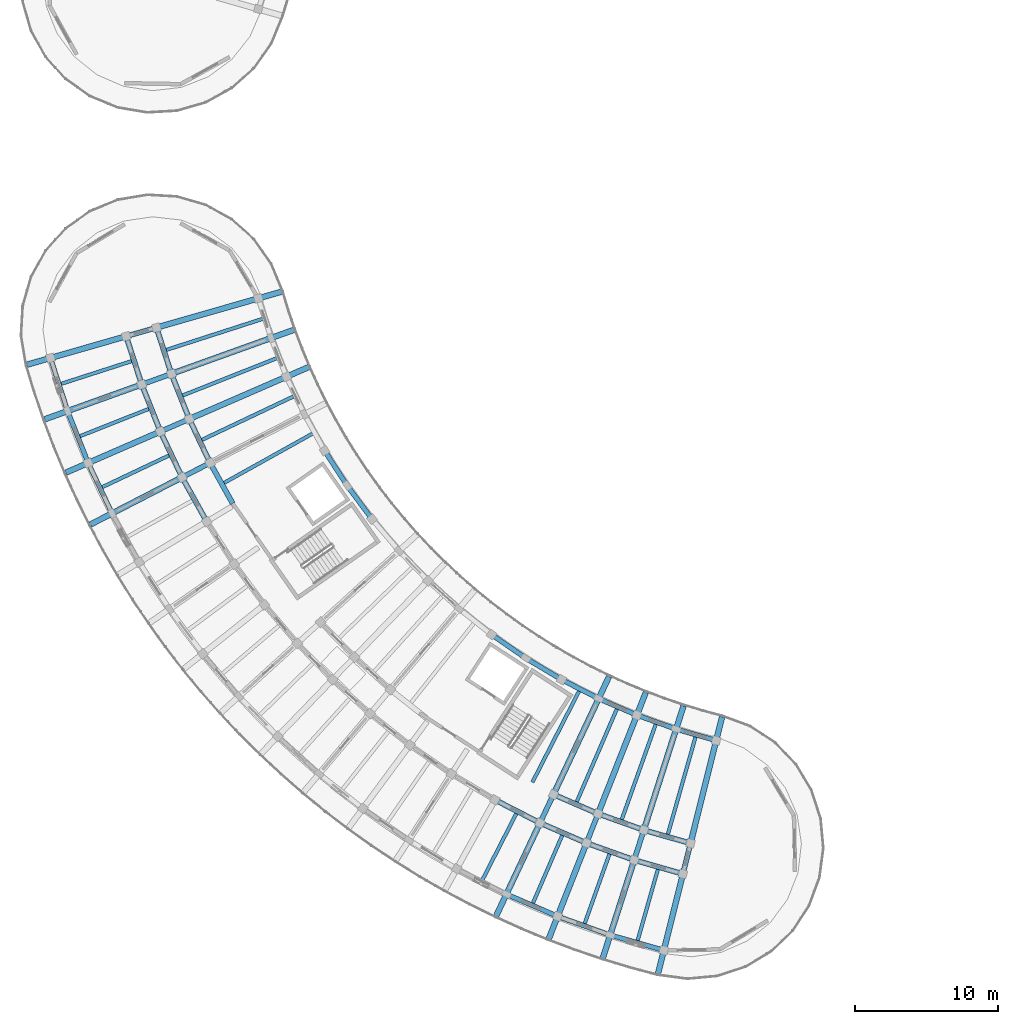
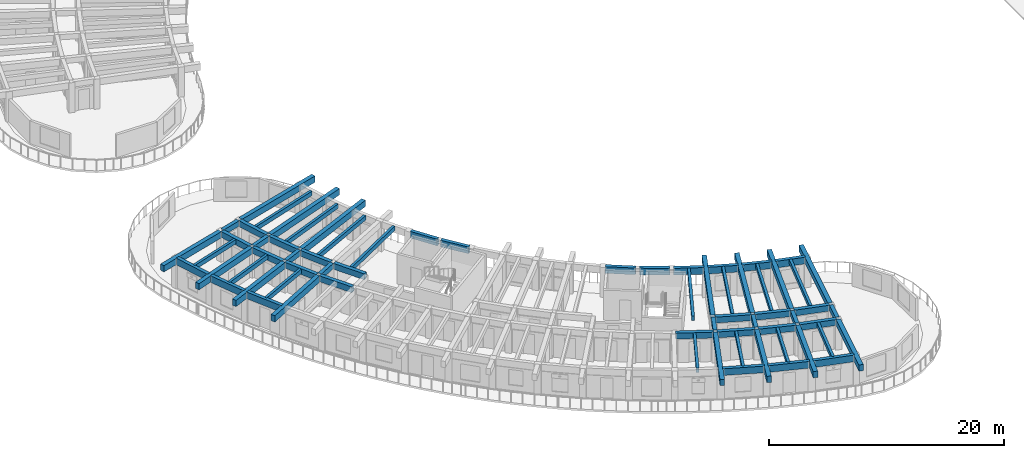
# One storey, part 5 of 69: 67 beams.
"""IFC4 building model written with IfcOpenShell, lengths in metres."""

from ifc_helpers import new_model, si_unit, direction, frame, origin, origin_2d, place, context, subcontext, project, spatial, rectangle, extrude, material, material_profile, profile_set, type_object, element, save


model = new_model("IFC4")

# Units and contexts
model_context = context("Model", 3, precision=1e-05, world=origin(), true_north=direction((0.0, 1.0)))
body_context = subcontext(model_context, "Body", "Model", "MODEL_VIEW")
ifc_project = project(units=[si_unit("LENGTHUNIT", "METRE"), si_unit("AREAUNIT", "SQUARE_METRE"), si_unit("VOLUMEUNIT", "CUBIC_METRE"), si_unit("PLANEANGLEUNIT", "RADIAN"), si_unit("MASSUNIT", "GRAM", prefix="KILO")], contexts=[model_context])

# Site, building, storey
site_placement = place(None, origin())
site = spatial("IfcSite", under=ifc_project, at=site_placement, CompositionType="ELEMENT")
building_placement = place(site_placement, origin())
building = spatial("IfcBuilding", under=site, at=building_placement, Name="Tanwirah Colonnade Gardens", CompositionType="ELEMENT")
storey_placement = place(building_placement, frame((0.0, 0.0, 15.56005859375)))
storey = spatial("IfcBuildingStorey", under=building, at=storey_placement, Name="L04", CompositionType="ELEMENT", Elevation=15.56005859375)

# Beams
ifc_material_1 = material(Name="Precast concrete C40/50", Category="concrete")
ifc_material_profile_1 = material_profile(ifc_material_1, rectangle(XDim=0.360107421875, YDim=0.610107421875, at=origin_2d()), Name="PC-BM 360x610")
ifc_profile_set_1 = profile_set([ifc_material_profile_1], Name="Precast concrete C40/50")
beam_type_1 = type_object("IfcBeamType", Name="BM-PC300", PredefinedType="BEAM", material=ifc_profile_set_1)
beam_1_placement = place(storey_placement, frame((15.20458984375, 50.0654296875, 2.804931640625), z_axis=(0.306977410573, -0.951716801048, 0.0), x_axis=(0.951716801048, 0.306977410573, 0.0)))
element("IfcBeam", 1, at=beam_1_placement, inside=storey, type_object=beam_type_1, Name="Block C L04 Circumferential Beam 0-R1", PredefinedType="BEAM", context=body_context, shape_type="SweptSolid", body=[
    extrude(rectangle(XDim=0.360107421875, YDim=0.610107421875, at=origin_2d()), origin(), (0.0, 0.0, 1.0), 3.093017578125),
])
beam_2_placement = place(storey_placement, frame((13.08984375, 49.458984375, 2.804931640625), z_axis=(0.306980742305, -0.951715726388, 0.0), x_axis=(0.951715726388, 0.306980742305, 0.0)))
element("IfcBeam", 2, at=beam_2_placement, inside=storey, type_object=beam_type_1, Name="Block C L04 Circumferential Beam 0-R2", PredefinedType="BEAM", context=body_context, shape_type="SweptSolid", body=[
    extrude(rectangle(XDim=0.360107421875, YDim=0.610107421875, at=origin_2d()), origin(), (0.0, 0.0, 1.0), 3.23681640625),
])
beam_3_placement = place(storey_placement, frame((16.25537109375, 46.839599609375, 2.804931640625), z_axis=(0.368544574427, -0.929610077753, 0.0), x_axis=(0.929610077753, 0.368544574427, 0.0)))
element("IfcBeam", 3, at=beam_3_placement, inside=storey, type_object=beam_type_1, Name="Block C L04 Circumferential Beam 1-R1", PredefinedType="BEAM", context=body_context, shape_type="SweptSolid", body=[
    extrude(rectangle(XDim=0.360107421875, YDim=0.610107421875, at=origin_2d()), origin(), (0.0, 0.0, 1.0), 3.093017578125),
])
beam_4_placement = place(storey_placement, frame((14.184814453125, 46.09619140625, 2.804931640625), z_axis=(0.368527954052, -0.929616666741, 0.0), x_axis=(0.929616666741, 0.368527954052, 0.0)))
element("IfcBeam", 4, at=beam_4_placement, inside=storey, type_object=beam_type_1, Name="Block C L04 Circumferential Beam 1-R2", PredefinedType="BEAM", context=body_context, shape_type="SweptSolid", body=[
    extrude(rectangle(XDim=0.360107421875, YDim=0.610107421875, at=origin_2d()), origin(), (0.0, 0.0, 1.0), 3.23681640625),
])
beam_5_placement = place(storey_placement, frame((17.5146484375, 43.689453125, 2.804931640625), z_axis=(0.428520598641, -0.903532011907, 0.0), x_axis=(0.903532011907, 0.428520598641, 0.0)))
element("IfcBeam", 5, at=beam_5_placement, inside=storey, type_object=beam_type_1, Name="Block C L04 Circumferential Beam 2-R1", PredefinedType="BEAM", context=body_context, shape_type="SweptSolid", body=[
    extrude(rectangle(XDim=0.360107421875, YDim=0.610107421875, at=origin_2d()), origin(), (0.0, 0.0, 1.0), 3.093017578125),
])
beam_6_placement = place(storey_placement, frame((15.4970703125, 42.81201171875, 2.804931640625), z_axis=(0.428562893949, -0.903511951183, 0.0), x_axis=(0.903511951183, 0.428562893949, 0.0)))
element("IfcBeam", 6, at=beam_6_placement, inside=storey, type_object=beam_type_1, Name="Block C L04 Circumferential Beam 2-R2", PredefinedType="BEAM", context=body_context, shape_type="SweptSolid", body=[
    extrude(rectangle(XDim=0.360107421875, YDim=0.610107421875, at=origin_2d()), origin(), (0.0, 0.0, 1.0), 3.23681640625),
])
beam_7_placement = place(storey_placement, frame((18.9775390625, 40.628173828125, 2.804931640625), z_axis=(0.486708181837, -0.873564620239, 0.0), x_axis=(0.873564620239, 0.486708181837, 0.0)))
element("IfcBeam", 7, at=beam_7_placement, inside=storey, type_object=beam_type_1, Name="Block C L04 Circumferential Beam 3-R1", PredefinedType="BEAM", context=body_context, shape_type="SweptSolid", body=[
    extrude(rectangle(XDim=0.360107421875, YDim=0.610107421875, at=origin_2d()), origin(), (0.0, 0.0, 1.0), 3.093017578125),
])
beam_8_placement = place(storey_placement, frame((17.021728515625, 39.620849609375, 2.804931640625), z_axis=(0.486712025227, -0.873562478875, 0.0), x_axis=(0.873562478875, 0.486712025227, 0.0)))
element("IfcBeam", 8, at=beam_8_placement, inside=storey, type_object=beam_type_1, Name="Block C L04 Circumferential Beam 3-R2", PredefinedType="BEAM", context=body_context, shape_type="SweptSolid", body=[
    extrude(rectangle(XDim=0.360107421875, YDim=0.610107421875, at=origin_2d()), origin(), (0.0, 0.0, 1.0), 3.23681640625),
])
beam_9_placement = place(storey_placement, frame((38.929443359375, 17.158447265625, 2.804931640625), z_axis=(0.890025451153, -0.45591084249, 0.0), x_axis=(0.45591084249, 0.890025451153, 0.0)))
element("IfcBeam", 9, at=beam_9_placement, inside=storey, type_object=beam_type_1, Name="Block C L04 Circumferential Beam 12-R2", PredefinedType="BEAM", context=body_context, shape_type="SweptSolid", body=[
    extrude(rectangle(XDim=0.360107421875, YDim=0.610107421875, at=origin_2d()), origin(), (0.0, 0.0, 1.0), 3.237060546875),
])
beam_10_placement = place(storey_placement, frame((43.02001953125, 17.54443359375, 2.804931640625), z_axis=(0.917936292782, -0.396727819032, 0.0), x_axis=(0.396727819032, 0.917936292782, 0.0)))
element("IfcBeam", 10, at=beam_10_placement, inside=storey, type_object=beam_type_1, Name="Block C L04 Circumferential Beam 13-R1", PredefinedType="BEAM", context=body_context, shape_type="SweptSolid", body=[
    extrude(rectangle(XDim=0.360107421875, YDim=0.610107421875, at=origin_2d()), origin(), (0.0, 0.0, 1.0), 3.093017578125),
])
beam_11_placement = place(storey_placement, frame((42.08154296875, 15.5546875, 2.804931640625), z_axis=(0.917943156181, -0.396711938338, 0.0), x_axis=(0.396711938338, 0.917943156181, 0.0)))
element("IfcBeam", 11, at=beam_11_placement, inside=storey, type_object=beam_type_1, Name="Block C L04 Circumferential Beam 13-R2", PredefinedType="BEAM", context=body_context, shape_type="SweptSolid", body=[
    extrude(rectangle(XDim=0.360107421875, YDim=0.610107421875, at=origin_2d()), origin(), (0.0, 0.0, 1.0), 3.237060546875),
])
beam_12_placement = place(storey_placement, frame((46.13818359375, 16.20751953125, 2.804931640625), z_axis=(0.941911444877, -0.335861325564, 0.0), x_axis=(0.335861325564, 0.941911444877, 0.0)))
element("IfcBeam", 12, at=beam_12_placement, inside=storey, type_object=beam_type_1, Name="Block C L04 Circumferential Beam 14-R1", PredefinedType="BEAM", context=body_context, shape_type="SweptSolid", body=[
    extrude(rectangle(XDim=0.360107421875, YDim=0.610107421875, at=origin_2d()), origin(), (0.0, 0.0, 1.0), 3.093017578125),
])
beam_13_placement = place(storey_placement, frame((45.331787109375, 14.16064453125, 2.804931640625), z_axis=(0.941917534978, -0.335844245597, 0.0), x_axis=(0.335844245597, 0.941917534978, 0.0)))
element("IfcBeam", 13, at=beam_13_placement, inside=storey, type_object=beam_type_1, Name="Block C L04 Circumferential Beam 14-R2", PredefinedType="BEAM", context=body_context, shape_type="SweptSolid", body=[
    extrude(rectangle(XDim=0.360107421875, YDim=0.610107421875, at=origin_2d()), origin(), (0.0, 0.0, 1.0), 3.237060546875),
])
beam_14_placement = place(storey_placement, frame((49.337158203125, 15.0771484375, 2.804931640625), z_axis=(0.961865763464, -0.273521942585, 0.0), x_axis=(0.273521942585, 0.961865763464, 0.0)))
element("IfcBeam", 14, at=beam_14_placement, inside=storey, type_object=beam_type_1, Name="Block C L04 Circumferential Beam 15-R1", PredefinedType="BEAM", context=body_context, shape_type="SweptSolid", body=[
    extrude(rectangle(XDim=0.360107421875, YDim=0.610107421875, at=origin_2d()), origin(), (0.0, 0.0, 1.0), 3.0927734375),
])
beam_15_placement = place(storey_placement, frame((48.666259765625, 12.98193359375, 2.804931640625), z_axis=(0.96185623635, -0.273555443366, 0.0), x_axis=(0.273555443366, 0.96185623635, 0.0)))
element("IfcBeam", 15, at=beam_15_placement, inside=storey, type_object=beam_type_1, Name="Block C L04 Circumferential Beam 15-R2", PredefinedType="BEAM", context=body_context, shape_type="SweptSolid", body=[
    extrude(rectangle(XDim=0.360107421875, YDim=0.610107421875, at=origin_2d()), origin(), (0.0, 0.0, 1.0), 3.237060546875),
])
ifc_material_profile_2 = material_profile(ifc_material_1, rectangle(XDim=0.35009765625, YDim=0.550048828125, at=origin_2d()), Name="PC-BM 350x550")
ifc_profile_set_2 = profile_set([ifc_material_profile_2], Name="Precast concrete C40/50")
beam_type_2 = type_object("IfcBeamType", Name="BM-PC350A", PredefinedType="BEAM", material=ifc_profile_set_2)
for number, where, z_axis, x_axis, name in (
    (16, (15.014404296875, 50.166748046875, 2.8349609375), (-0.961266538157, -0.275620468433, 0.0), (0.275620468433, -0.961266538157, 0.0), "Block C L04 Corridor Tie Beam 0"),
    (17, (16.058837890625, 46.92822265625, 2.8349609375), (-0.941214575511, -0.337809299525, 0.0), (0.337809299525, -0.941214575511, 0.0), "Block C L04 Corridor Tie Beam 1"),
):
    element("IfcBeam", number, at=place(storey_placement, frame(where, z_axis=z_axis, x_axis=x_axis)), inside=storey, type_object=beam_type_2, Name=name, PredefinedType="BEAM", context=body_context, shape_type="SweptSolid", body=[
        extrude(rectangle(XDim=0.35009765625, YDim=0.550048828125, at=origin_2d()), origin(), (0.0, 0.0, 1.0), 1.89990234375),
    ])
beam_16_placement = place(storey_placement, frame((17.31298828125, 43.76513671875, 2.8349609375), z_axis=(-0.917025109963, -0.398829471952, 0.0), x_axis=(0.398829471952, -0.917025109963, 0.0)))
element("IfcBeam", 18, at=beam_16_placement, inside=storey, type_object=beam_type_2, Name="Block C L04 Corridor Tie Beam 2", PredefinedType="BEAM", context=body_context, shape_type="SweptSolid", body=[
    extrude(rectangle(XDim=0.35009765625, YDim=0.550048828125, at=origin_2d()), origin(), (0.0, 0.0, 1.0), 1.900146484375),
])
for number, where, z_axis, x_axis, name in (
    (19, (18.77099609375, 40.690673828125, 2.8349609375), (-0.888965044602, -0.457975053334, 0.0), (0.457975053334, -0.888965044602, 0.0), "Block C L04 Corridor Tie Beam 3"),
    (20, (42.818359375, 17.46826171875, 2.8349609375), (-0.426483812015, -0.904495195172, 0.0), (0.904495195172, -0.426483812015, 0.0), "Block C L04 Corridor Tie Beam 13"),
):
    element("IfcBeam", number, at=place(storey_placement, frame(where, z_axis=z_axis, x_axis=x_axis)), inside=storey, type_object=beam_type_2, Name=name, PredefinedType="BEAM", context=body_context, shape_type="SweptSolid", body=[
        extrude(rectangle(XDim=0.35009765625, YDim=0.550048828125, at=origin_2d()), origin(), (0.0, 0.0, 1.0), 1.89990234375),
    ])
beam_17_placement = place(storey_placement, frame((45.94189453125, 16.1181640625, 2.8349609375), z_axis=(-0.366511033969, -0.930413704746, 0.0), x_axis=(0.930413704746, -0.366511033969, 0.0)))
element("IfcBeam", 21, at=beam_17_placement, inside=storey, type_object=beam_type_2, Name="Block C L04 Corridor Tie Beam 14", PredefinedType="BEAM", context=body_context, shape_type="SweptSolid", body=[
    extrude(rectangle(XDim=0.35009765625, YDim=0.550048828125, at=origin_2d()), origin(), (0.0, 0.0, 1.0), 1.899658203125),
])
for number, where, z_axis, x_axis, name in (
    (22, (49.14697265625, 14.975341796875, 2.8349609375), (-0.304794376797, -0.952418179096, 0.0), (0.952418179096, -0.304794376797, 0.0), "Block C L04 Corridor Tie Beam 15"),
    (23, (52.420166015625, 14.044677734375, 2.8349609375), (-0.241961122321, -0.970285945114, 0.0), (0.970285945114, -0.241961122321, 0.0), "Block C L04 Corridor Tie Beam 16"),
):
    element("IfcBeam", number, at=place(storey_placement, frame(where, z_axis=z_axis, x_axis=x_axis)), inside=storey, type_object=beam_type_2, Name=name, PredefinedType="BEAM", context=body_context, shape_type="SweptSolid", body=[
        extrude(rectangle(XDim=0.35009765625, YDim=0.550048828125, at=origin_2d()), origin(), (0.0, 0.0, 1.0), 1.89990234375),
    ])
ifc_material_2 = material(Name="Precast concrete C45/55", Category="concrete")
ifc_material_profile_3 = material_profile(ifc_material_2, rectangle(XDim=0.39990234375, YDim=0.64990234375, at=origin_2d()), Name="PC-BM 400x650")
ifc_profile_set_3 = profile_set([ifc_material_profile_3], Name="Precast concrete C45/55")
beam_type_3 = type_object("IfcBeamType", Name="BM-PC400", PredefinedType="BEAM", material=ifc_profile_set_3)
beam_18_placement = place(storey_placement, frame((15.302734375, 50.24951171875, 2.784912109375), z_axis=(0.961258954076, 0.275646917646, 0.0), x_axis=(-0.275646917646, 0.961258954076, 0.0)))
element("IfcBeam", 24, at=beam_18_placement, inside=storey, type_object=beam_type_3, Name="Block C L04 Inner Radial Precast Girder 0", PredefinedType="BEAM", context=body_context, shape_type="SweptSolid", body=[
    extrude(rectangle(XDim=0.39990234375, YDim=0.64990234375, at=origin_2d()), origin(), (0.0, 0.0, 1.0), 8.949951171875),
])
beam_19_placement = place(storey_placement, frame((12.899658203125, 49.560546875, 2.784912109375), z_axis=(-0.961256910003, -0.275654045811, 0.0), x_axis=(0.275654045811, -0.961256910003, 0.0)))
element("IfcBeam", 25, at=beam_19_placement, inside=storey, type_object=beam_type_3, Name="Block C L04 Outer Radial Precast Girder 0", PredefinedType="BEAM", context=body_context, shape_type="SweptSolid", body=[
    extrude(rectangle(XDim=0.39990234375, YDim=0.64990234375, at=origin_2d()), origin(), (0.0, 0.0, 1.0), 7.050048828125),
])
beam_20_placement = place(storey_placement, frame((16.34130859375, 47.02978515625, 2.784912109375), z_axis=(0.941180212187, 0.337905028356, 0.0), x_axis=(-0.337905028356, 0.941180212187, 0.0)))
element("IfcBeam", 26, at=beam_20_placement, inside=storey, type_object=beam_type_3, Name="Block C L04 Inner Radial Precast Girder 1", PredefinedType="BEAM", context=body_context, shape_type="SweptSolid", body=[
    extrude(rectangle(XDim=0.39990234375, YDim=0.64990234375, at=origin_2d()), origin(), (0.0, 0.0, 1.0), 8.94970703125),
])
beam_21_placement = place(storey_placement, frame((13.98828125, 46.184814453125, 2.784912109375), z_axis=(-0.941174903614, -0.337919814168, 0.0), x_axis=(0.337919814168, -0.941174903614, 0.0)))
element("IfcBeam", 27, at=beam_21_placement, inside=storey, type_object=beam_type_3, Name="Block C L04 Outer Radial Precast Girder 1", PredefinedType="BEAM", context=body_context, shape_type="SweptSolid", body=[
    extrude(rectangle(XDim=0.39990234375, YDim=0.64990234375, at=origin_2d()), origin(), (0.0, 0.0, 1.0), 7.050048828125),
])
beam_22_placement = place(storey_placement, frame((17.587890625, 43.884765625, 2.784912109375), z_axis=(0.917069622575, 0.398727108872, 0.0), x_axis=(-0.398727108872, 0.917069622575, 0.0)))
element("IfcBeam", 28, at=beam_22_placement, inside=storey, type_object=beam_type_3, Name="Block C L04 Inner Radial Precast Girder 2", PredefinedType="BEAM", context=body_context, shape_type="SweptSolid", body=[
    extrude(rectangle(XDim=0.39990234375, YDim=0.64990234375, at=origin_2d()), origin(), (0.0, 0.0, 1.0), 8.949951171875),
])
for number, where, z_axis, x_axis, name in (
    (29, (15.29541015625, 42.8876953125, 2.784912109375), (-0.91706895514, -0.398728643965, 0.0), (0.398728643965, -0.91706895514, 0.0), "Block C L04 Outer Radial Precast Girder 2"),
    (30, (16.815185546875, 39.683349609375, 2.784912109375), (-0.889016420099, -0.457875315774, 0.0), (0.457875315774, -0.889016420099, 0.0), "Block C L04 Outer Radial Precast Girder 3"),
):
    element("IfcBeam", number, at=place(storey_placement, frame(where, z_axis=z_axis, x_axis=x_axis)), inside=storey, type_object=beam_type_3, Name=name, PredefinedType="BEAM", context=body_context, shape_type="SweptSolid", body=[
        extrude(rectangle(XDim=0.39990234375, YDim=0.64990234375, at=origin_2d()), origin(), (0.0, 0.0, 1.0), 7.050048828125),
    ])
beam_23_placement = place(storey_placement, frame((42.9462890625, 17.73974609375, 2.784912109375), z_axis=(0.426582468098, 0.904448670689, 0.0), x_axis=(-0.904448670689, 0.426582468098, 0.0)))
element("IfcBeam", 31, at=beam_23_placement, inside=storey, type_object=beam_type_3, Name="Block C L04 Inner Radial Precast Girder 13", PredefinedType="BEAM", context=body_context, shape_type="SweptSolid", body=[
    extrude(rectangle(XDim=0.39990234375, YDim=0.64990234375, at=origin_2d()), origin(), (0.0, 0.0, 1.0), 8.949951171875),
])
beam_24_placement = place(storey_placement, frame((41.8798828125, 15.478515625, 2.784912109375), z_axis=(-0.426567365945, -0.904455793453, 0.0), x_axis=(0.904455793453, -0.426567365945, 0.0)))
element("IfcBeam", 32, at=beam_24_placement, inside=storey, type_object=beam_type_3, Name="Block C L04 Outer Radial Precast Girder 13", PredefinedType="BEAM", context=body_context, shape_type="SweptSolid", body=[
    extrude(rectangle(XDim=0.39990234375, YDim=0.64990234375, at=origin_2d()), origin(), (0.0, 0.0, 1.0), 7.050048828125),
])
beam_25_placement = place(storey_placement, frame((46.052001953125, 16.3974609375, 2.784912109375), z_axis=(0.36648945479, 0.930422204984, 0.0), x_axis=(-0.930422204984, 0.36648945479, 0.0)))
element("IfcBeam", 33, at=beam_25_placement, inside=storey, type_object=beam_type_3, Name="Block C L04 Inner Radial Precast Girder 14", PredefinedType="BEAM", context=body_context, shape_type="SweptSolid", body=[
    extrude(rectangle(XDim=0.39990234375, YDim=0.64990234375, at=origin_2d()), origin(), (0.0, 0.0, 1.0), 8.949951171875),
])
beam_26_placement = place(storey_placement, frame((45.1357421875, 14.0712890625, 2.784912109375), z_axis=(-0.366525426804, -0.930408034953, 0.0), x_axis=(0.930408034953, -0.366525426804, 0.0)))
element("IfcBeam", 34, at=beam_26_placement, inside=storey, type_object=beam_type_3, Name="Block C L04 Outer Radial Precast Girder 14", PredefinedType="BEAM", context=body_context, shape_type="SweptSolid", body=[
    extrude(rectangle(XDim=0.39990234375, YDim=0.64990234375, at=origin_2d()), origin(), (0.0, 0.0, 1.0), 7.050048828125),
])
beam_27_placement = place(storey_placement, frame((49.238525390625, 15.26123046875, 2.784912109375), z_axis=(0.304862826508, 0.952396270999, 0.0), x_axis=(-0.952396270999, 0.304862826508, 0.0)))
element("IfcBeam", 35, at=beam_27_placement, inside=storey, type_object=beam_type_3, Name="Block C L04 Inner Radial Precast Girder 15", PredefinedType="BEAM", context=body_context, shape_type="SweptSolid", body=[
    extrude(rectangle(XDim=0.39990234375, YDim=0.64990234375, at=origin_2d()), origin(), (0.0, 0.0, 1.0), 8.949951171875),
])
beam_28_placement = place(storey_placement, frame((48.476318359375, 12.880126953125, 2.784912109375), z_axis=(-0.304849862001, -0.952400420851, 0.0), x_axis=(0.952400420851, -0.304849862001, 0.0)))
element("IfcBeam", 36, at=beam_28_placement, inside=storey, type_object=beam_type_3, Name="Block C L04 Outer Radial Precast Girder 15", PredefinedType="BEAM", context=body_context, shape_type="SweptSolid", body=[
    extrude(rectangle(XDim=0.39990234375, YDim=0.64990234375, at=origin_2d()), origin(), (0.0, 0.0, 1.0), 7.050048828125),
])
beam_29_placement = place(storey_placement, frame((52.49267578125, 14.335693359375, 2.784912109375), z_axis=(0.241932243826, 0.970293146115, 0.0), x_axis=(-0.970293146115, 0.241932243826, 0.0)))
element("IfcBeam", 37, at=beam_29_placement, inside=storey, type_object=beam_type_3, Name="Block C L04 Inner Radial Precast Girder 16", PredefinedType="BEAM", context=body_context, shape_type="SweptSolid", body=[
    extrude(rectangle(XDim=0.39990234375, YDim=0.64990234375, at=origin_2d()), origin(), (0.0, 0.0, 1.0), 8.949951171875),
])
beam_30_placement = place(storey_placement, frame((51.887939453125, 11.909912109375, 2.784912109375), z_axis=(-0.241924461086, -0.970295086625, 0.0), x_axis=(0.970295086625, -0.241924461086, 0.0)))
element("IfcBeam", 38, at=beam_30_placement, inside=storey, type_object=beam_type_3, Name="Block C L04 Outer Radial Precast Girder 16", PredefinedType="BEAM", context=body_context, shape_type="SweptSolid", body=[
    extrude(rectangle(XDim=0.39990234375, YDim=0.64990234375, at=origin_2d()), origin(), (0.0, 0.0, 1.0), 7.050048828125),
])
ifc_material_profile_4 = material_profile(ifc_material_1, rectangle(XDim=0.25, YDim=0.449951171875, at=origin_2d()), Name="PC-JST 250x450")
ifc_profile_set_4 = profile_set([ifc_material_profile_4], Name="Precast concrete C40/50")
beam_type_4 = type_object("IfcBeamType", Name="JST-PC250", PredefinedType="JOIST", material=ifc_profile_set_4)
beam_31_placement = place(storey_placement, frame((13.44482421875, 47.873046875, 2.885009765625), z_axis=(-0.95172917624, -0.30693904133, 0.0), x_axis=(0.30693904133, -0.95172917624, 0.0)))
element("IfcBeam", 39, at=beam_31_placement, inside=storey, type_object=beam_type_4, Name="Block C L04 Precast Floor Joist 0", PredefinedType="JOIST", context=body_context, shape_type="SweptSolid", body=[
    extrude(rectangle(XDim=0.25, YDim=0.449951171875, at=origin_2d()), origin(), (0.0, 0.0, 1.0), 5.260009765625),
])
beam_32_placement = place(storey_placement, frame((22.58154296875, 50.819580078125, 2.885009765625), z_axis=(-0.951727255502, -0.30694499692, 0.0), x_axis=(0.30694499692, -0.951727255502, 0.0)))
element("IfcBeam", 40, at=beam_32_placement, inside=storey, type_object=beam_type_4, Name="Block C L04 Inner Precast Floor Joist 0", PredefinedType="JOIST", context=body_context, shape_type="SweptSolid", body=[
    extrude(rectangle(XDim=0.25, YDim=0.449951171875, at=origin_2d()), origin(), (0.0, 0.0, 1.0), 7.16015625),
])
beam_33_placement = place(storey_placement, frame((14.642822265625, 44.53662109375, 2.885009765625), z_axis=(-0.929618207145, -0.368524068338, 0.0), x_axis=(0.368524068338, -0.929618207145, 0.0)))
element("IfcBeam", 41, at=beam_33_placement, inside=storey, type_object=beam_type_4, Name="Block C L04 Precast Floor Joist 1", PredefinedType="JOIST", context=body_context, shape_type="SweptSolid", body=[
    extrude(rectangle(XDim=0.25, YDim=0.449951171875, at=origin_2d()), origin(), (0.0, 0.0, 1.0), 5.260009765625),
])
beam_34_placement = place(storey_placement, frame((23.567138671875, 48.07470703125, 2.885009765625), z_axis=(-0.929619798141, -0.368520054956, 0.0), x_axis=(0.368520054956, -0.929619798141, 0.0)))
element("IfcBeam", 42, at=beam_34_placement, inside=storey, type_object=beam_type_4, Name="Block C L04 Inner Precast Floor Joist 1", PredefinedType="JOIST", context=body_context, shape_type="SweptSolid", body=[
    extrude(rectangle(XDim=0.25, YDim=0.449951171875, at=origin_2d()), origin(), (0.0, 0.0, 1.0), 7.16015625),
])
beam_35_placement = place(storey_placement, frame((16.05615234375, 41.285888671875, 2.885009765625), z_axis=(-0.903517509842, -0.428551174785, 0.0), x_axis=(0.428551174785, -0.903517509842, 0.0)))
element("IfcBeam", 43, at=beam_35_placement, inside=storey, type_object=beam_type_4, Name="Block C L04 Precast Floor Joist 2", PredefinedType="JOIST", context=body_context, shape_type="SweptSolid", body=[
    extrude(rectangle(XDim=0.25, YDim=0.449951171875, at=origin_2d()), origin(), (0.0, 0.0, 1.0), 5.260009765625),
])
for number, where, z_axis, x_axis, name in (
    (44, (24.72998046875, 45.39990234375, 2.885009765625), (-0.903522492189, -0.428540670308, 0.0), (0.428540670308, -0.903522492189, 0.0), "Block C L04 Inner Precast Floor Joist 2"),
    (45, (26.0654296875, 42.80712890625, 2.885009765625), (-0.873559899034, -0.486716655561, 0.0), (0.486716655561, -0.873559899034, 0.0), "Block C L04 Inner Precast Floor Joist 3"),
):
    element("IfcBeam", number, at=place(storey_placement, frame(where, z_axis=z_axis, x_axis=x_axis)), inside=storey, type_object=beam_type_4, Name=name, PredefinedType="JOIST", context=body_context, shape_type="SweptSolid", body=[
        extrude(rectangle(XDim=0.25, YDim=0.449951171875, at=origin_2d()), origin(), (0.0, 0.0, 1.0), 7.159912109375),
    ])
beam_36_placement = place(storey_placement, frame((40.302001953125, 16.287841796875, 2.885009765625), z_axis=(-0.455936851617, -0.890012127635, 0.0), x_axis=(0.890012127635, -0.455936851617, 0.0)))
element("IfcBeam", 46, at=beam_36_placement, inside=storey, type_object=beam_type_4, Name="Block C L04 Precast Floor Joist 12", PredefinedType="JOIST", context=body_context, shape_type="SweptSolid", body=[
    extrude(rectangle(XDim=0.25, YDim=0.449951171875, at=origin_2d()), origin(), (0.0, 0.0, 1.0), 5.260009765625),
])
beam_37_placement = place(storey_placement, frame((44.678955078125, 24.83203125, 2.885009765625), z_axis=(-0.455921327553, -0.890020080157, 0.0), x_axis=(0.890020080157, -0.455921327553, 0.0)))
element("IfcBeam", 47, at=beam_37_placement, inside=storey, type_object=beam_type_4, Name="Block C L04 Inner Precast Floor Joist 12", PredefinedType="JOIST", context=body_context, shape_type="SweptSolid", body=[
    extrude(rectangle(XDim=0.25, YDim=0.449951171875, at=origin_2d()), origin(), (0.0, 0.0, 1.0), 7.159912109375),
])
beam_38_placement = place(storey_placement, frame((43.50830078125, 14.77587890625, 2.885009765625), z_axis=(-0.396746282, -0.917928312952, 0.0), x_axis=(0.917928312952, -0.396746282, 0.0)))
element("IfcBeam", 48, at=beam_38_placement, inside=storey, type_object=beam_type_4, Name="Block C L04 Precast Floor Joist 13", PredefinedType="JOIST", context=body_context, shape_type="SweptSolid", body=[
    extrude(rectangle(XDim=0.25, YDim=0.449951171875, at=origin_2d()), origin(), (0.0, 0.0, 1.0), 5.260009765625),
])
beam_39_placement = place(storey_placement, frame((47.31689453125, 23.587890625, 2.885009765625), z_axis=(-0.396736454079, -0.917932560706, 0.0), x_axis=(0.917932560706, -0.396736454079, 0.0)))
element("IfcBeam", 49, at=beam_39_placement, inside=storey, type_object=beam_type_4, Name="Block C L04 Inner Precast Floor Joist 13", PredefinedType="JOIST", context=body_context, shape_type="SweptSolid", body=[
    extrude(rectangle(XDim=0.25, YDim=0.449951171875, at=origin_2d()), origin(), (0.0, 0.0, 1.0), 7.159912109375),
])
beam_40_placement = place(storey_placement, frame((46.806396484375, 13.4765625, 2.885009765625), z_axis=(-0.335862957845, -0.941910862846, 0.0), x_axis=(0.941910862846, -0.335862957845, 0.0)))
element("IfcBeam", 50, at=beam_40_placement, inside=storey, type_object=beam_type_4, Name="Block C L04 Precast Floor Joist 14", PredefinedType="JOIST", context=body_context, shape_type="SweptSolid", body=[
    extrude(rectangle(XDim=0.25, YDim=0.449951171875, at=origin_2d()), origin(), (0.0, 0.0, 1.0), 5.260009765625),
])
beam_41_placement = place(storey_placement, frame((50.030517578125, 22.51904296875, 2.885009765625), z_axis=(-0.335861148107, -0.941911508154, 0.0), x_axis=(0.941911508154, -0.335861148107, 0.0)))
element("IfcBeam", 51, at=beam_41_placement, inside=storey, type_object=beam_type_4, Name="Block C L04 Inner Precast Floor Joist 14", PredefinedType="JOIST", context=body_context, shape_type="SweptSolid", body=[
    extrude(rectangle(XDim=0.25, YDim=0.449951171875, at=origin_2d()), origin(), (0.0, 0.0, 1.0), 7.16015625),
])
beam_42_placement = place(storey_placement, frame((50.182373046875, 12.39599609375, 2.885009765625), z_axis=(-0.27352550206, -0.961864751263, 0.0), x_axis=(0.961864751263, -0.27352550206, 0.0)))
element("IfcBeam", 52, at=beam_42_placement, inside=storey, type_object=beam_type_4, Name="Block C L04 Precast Floor Joist 15", PredefinedType="JOIST", context=body_context, shape_type="SweptSolid", body=[
    extrude(rectangle(XDim=0.25, YDim=0.449951171875, at=origin_2d()), origin(), (0.0, 0.0, 1.0), 5.260009765625),
])
beam_43_placement = place(storey_placement, frame((52.808349609375, 21.6298828125, 2.885009765625), z_axis=(-0.273532000762, -0.961862903204, 0.0), x_axis=(0.961862903204, -0.273532000762, 0.0)))
element("IfcBeam", 53, at=beam_43_placement, inside=storey, type_object=beam_type_4, Name="Block C L04 Inner Precast Floor Joist 15", PredefinedType="JOIST", context=body_context, shape_type="SweptSolid", body=[
    extrude(rectangle(XDim=0.25, YDim=0.449951171875, at=origin_2d()), origin(), (0.0, 0.0, 1.0), 7.159912109375),
])
ifc_material_profile_5 = material_profile(ifc_material_1, rectangle(XDim=0.330078125, YDim=0.68994140625, at=origin_2d()), Name="PC-SP 330x690")
ifc_profile_set_5 = profile_set([ifc_material_profile_5], Name="Precast concrete C40/50")
beam_type_5 = type_object("IfcBeamType", Name="SP-PC280", PredefinedType="SPANDREL", material=ifc_profile_set_5)
beam_44_placement = place(storey_placement, frame((7.802978515625, 47.943115234375, 2.764892578125), z_axis=(0.306927419976, -0.951732924127, 0.0), x_axis=(0.951732924127, 0.306927419976, 0.0)))
element("IfcBeam", 54, at=beam_44_placement, inside=storey, type_object=beam_type_5, Name="Block C L04 Circumferential Beam 0-R3", PredefinedType="SPANDREL", context=body_context, shape_type="SweptSolid", body=[
    extrude(rectangle(XDim=0.330078125, YDim=0.68994140625, at=origin_2d()), origin(), (0.0, 0.0, 1.0), 3.596923828125),
])
for number, where, z_axis, x_axis, name in (
    (55, (9.00830078125, 44.237548828125, 2.764892578125), (0.368521552478, -0.929619204491, 0.0), (0.929619204491, 0.368521552478, 0.0), "Block C L04 Circumferential Beam 1-R3"),
    (56, (10.453369140625, 40.618896484375, 2.764892578125), (0.428518139447, -0.903533178231, 0.0), (0.903533178231, 0.428518139447, 0.0), "Block C L04 Circumferential Beam 2-R3"),
):
    element("IfcBeam", number, at=place(storey_placement, frame(where, z_axis=z_axis, x_axis=x_axis)), inside=storey, type_object=beam_type_5, Name=name, PredefinedType="SPANDREL", context=body_context, shape_type="SweptSolid", body=[
        extrude(rectangle(XDim=0.330078125, YDim=0.68994140625, at=origin_2d()), origin(), (0.0, 0.0, 1.0), 3.5966796875),
    ])
beam_45_placement = place(storey_placement, frame((26.980224609375, 41.48046875, 2.764892578125), z_axis=(0.542874837406, -0.83981361677, 0.0), x_axis=(0.83981361677, 0.542874837406, 0.0)))
element("IfcBeam", 57, at=beam_45_placement, inside=storey, type_object=beam_type_5, Name="Block C L04 Circumferential Beam 4-R0", PredefinedType="SPANDREL", context=body_context, shape_type="SweptSolid", body=[
    extrude(rectangle(XDim=0.330078125, YDim=0.68994140625, at=origin_2d()), origin(), (0.0, 0.0, 1.0), 2.60888671875),
])
beam_46_placement = place(storey_placement, frame((28.5673828125, 39.043212890625, 2.764892578125), z_axis=(0.596565220249, -0.802564600508, 0.0), x_axis=(0.802564600508, 0.596565220249, 0.0)))
element("IfcBeam", 58, at=beam_46_placement, inside=storey, type_object=beam_type_5, Name="Block C L04 Circumferential Beam 5-R0", PredefinedType="SPANDREL", context=body_context, shape_type="SweptSolid", body=[
    extrude(rectangle(XDim=0.330078125, YDim=0.68994140625, at=origin_2d()), origin(), (0.0, 0.0, 1.0), 2.6083984375),
])
beam_47_placement = place(storey_placement, frame((38.68359375, 28.683349609375, 2.764892578125), z_axis=(0.822868771031, -0.568231454305, 0.0), x_axis=(0.568231454305, 0.822868771031, 0.0)))
element("IfcBeam", 59, at=beam_47_placement, inside=storey, type_object=beam_type_5, Name="Block C L04 Circumferential Beam 10-R0", PredefinedType="SPANDREL", context=body_context, shape_type="SweptSolid", body=[
    extrude(rectangle(XDim=0.330078125, YDim=0.68994140625, at=origin_2d()), origin(), (0.0, 0.0, 1.0), 2.60888671875),
])
for number, where, z_axis, x_axis, name in (
    (60, (41.08251953125, 27.038818359375, 2.764892578125), (0.858301131151, -0.513146341958, 0.0), (0.513146341958, 0.858301131151, 0.0), "Block C L04 Circumferential Beam 11-R0"),
    (61, (43.583740234375, 25.5546875, 2.764892578125), (0.890042438658, -0.455877678097, 0.0), (0.455877678097, 0.890042438658, 0.0), "Block C L04 Circumferential Beam 12-R0"),
    (62, (46.1767578125, 24.237548828125, 2.764892578125), (0.917901260915, -0.396808864833, 0.0), (0.396808864833, 0.917901260915, 0.0), "Block C L04 Circumferential Beam 13-R0"),
):
    element("IfcBeam", number, at=place(storey_placement, frame(where, z_axis=z_axis, x_axis=x_axis)), inside=storey, type_object=beam_type_5, Name=name, PredefinedType="SPANDREL", context=body_context, shape_type="SweptSolid", body=[
        extrude(rectangle(XDim=0.330078125, YDim=0.68994140625, at=origin_2d()), origin(), (0.0, 0.0, 1.0), 2.608642578125),
    ])
beam_48_placement = place(storey_placement, frame((39.735595703125, 10.580078125, 2.764892578125), z_axis=(0.917925861765, -0.396751953118, 0.0), x_axis=(0.396751953118, 0.917925861765, 0.0)))
element("IfcBeam", 63, at=beam_48_placement, inside=storey, type_object=beam_type_5, Name="Block C L04 Circumferential Beam 13-R3", PredefinedType="SPANDREL", context=body_context, shape_type="SweptSolid", body=[
    extrude(rectangle(XDim=0.330078125, YDim=0.68994140625, at=origin_2d()), origin(), (0.0, 0.0, 1.0), 3.5966796875),
])
beam_49_placement = place(storey_placement, frame((48.850341796875, 23.092529296875, 2.764892578125), z_axis=(0.941898499992, -0.335897626835, 0.0), x_axis=(0.335897626835, 0.941898499992, 0.0)))
element("IfcBeam", 64, at=beam_49_placement, inside=storey, type_object=beam_type_5, Name="Block C L04 Circumferential Beam 14-R0", PredefinedType="SPANDREL", context=body_context, shape_type="SweptSolid", body=[
    extrude(rectangle(XDim=0.330078125, YDim=0.68994140625, at=origin_2d()), origin(), (0.0, 0.0, 1.0), 2.608642578125),
])
beam_50_placement = place(storey_placement, frame((43.316162109375, 9.043212890625, 2.764892578125), z_axis=(0.941915315404, -0.335850470607, 0.0), x_axis=(0.335850470607, 0.941915315404, 0.0)))
element("IfcBeam", 65, at=beam_50_placement, inside=storey, type_object=beam_type_5, Name="Block C L04 Circumferential Beam 14-R3", PredefinedType="SPANDREL", context=body_context, shape_type="SweptSolid", body=[
    extrude(rectangle(XDim=0.330078125, YDim=0.68994140625, at=origin_2d()), origin(), (0.0, 0.0, 1.0), 3.596923828125),
])
beam_51_placement = place(storey_placement, frame((51.593017578125, 22.125, 2.764892578125), z_axis=(0.961858721299, -0.273546705814, 0.0), x_axis=(0.273546705814, 0.961858721299, 0.0)))
element("IfcBeam", 66, at=beam_51_placement, inside=storey, type_object=beam_type_5, Name="Block C L04 Circumferential Beam 15-R0", PredefinedType="SPANDREL", context=body_context, shape_type="SweptSolid", body=[
    extrude(rectangle(XDim=0.330078125, YDim=0.68994140625, at=origin_2d()), origin(), (0.0, 0.0, 1.0), 2.60888671875),
])
beam_52_placement = place(storey_placement, frame((46.989501953125, 7.743896484375, 2.764892578125), z_axis=(0.96186131547, -0.273537583893, 0.0), x_axis=(0.273537583893, 0.96186131547, 0.0)))
element("IfcBeam", 67, at=beam_52_placement, inside=storey, type_object=beam_type_5, Name="Block C L04 Circumferential Beam 15-R3", PredefinedType="SPANDREL", context=body_context, shape_type="SweptSolid", body=[
    extrude(rectangle(XDim=0.330078125, YDim=0.68994140625, at=origin_2d()), origin(), (0.0, 0.0, 1.0), 3.596923828125),
])

save(model, "model.ifc")
